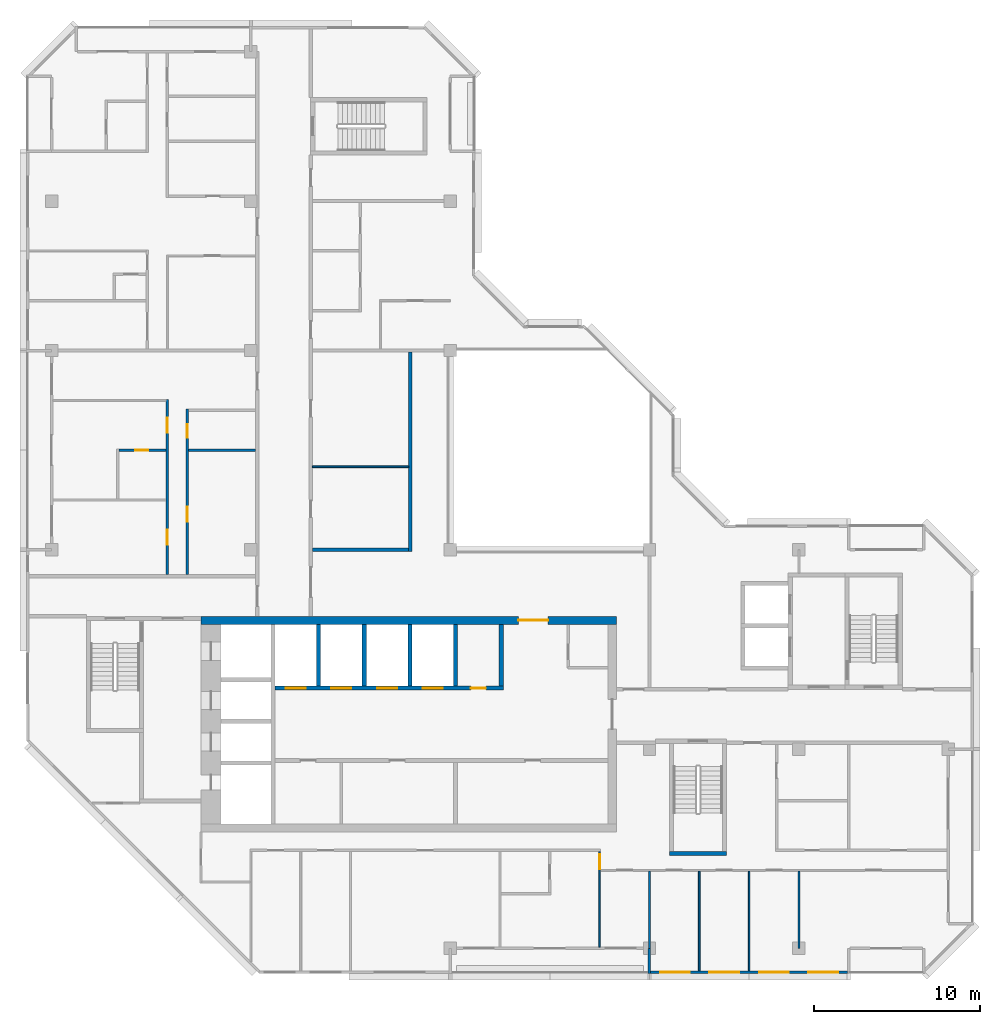
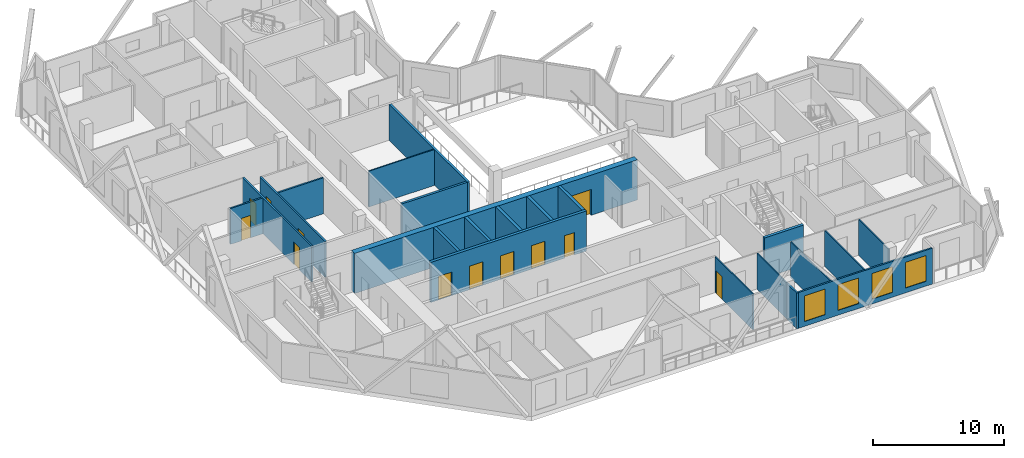
# One storey, part 5 of 12: 22 walls, 12 doors, 4 windows, 16 openings.
"""IFC4 building model written with IfcOpenShell, lengths in metres."""

import ifcopenshell
import ifcopenshell.guid

model = None  # the IFC model being written
_history = None  # IfcOwnerHistory: only IFC2X3 demands one
_inside = {}  # id of a spatial element -> (the spatial element, [elements in it])
_under = {}  # id of a project, library or spatial element -> (it, [spatial elements below it])
_declared = {}  # id of a project -> (the project, [libraries it declares])
_typed = {}  # id of a type object -> (the type object, [elements of that type])
_made_of = {}  # id of a material, layer set ... -> (it, [elements and type objects made of it])


def new_model(schema):
    """Start an empty IFC model of exactly this schema.

    Asked for "IFC4X3", IfcOpenShell would pick the latest addendum, in which some entities
    have other attributes; the version numbers below select the first issue.
    IFC2X3 requires an IfcOwnerHistory on every rooted entity: one is made here for all.
    """
    global model, _history
    if schema == "IFC4X3":
        model = ifcopenshell.file(schema_version=(4, 3, 0, 0))
    else:
        model = ifcopenshell.file(schema=schema)
    _inside.clear()
    _under.clear()
    _declared.clear()
    _typed.clear()
    _made_of.clear()
    _history = None
    if model.schema == "IFC2X3":
        org = make("IfcOrganization", Name="unknown")
        user = make(
            "IfcPersonAndOrganization",
            ThePerson=make("IfcPerson", FamilyName="unknown"),
            TheOrganization=org,
        )
        app = make(
            "IfcApplication",
            ApplicationDeveloper=org,
            Version="unknown",
            ApplicationFullName="unknown",
            ApplicationIdentifier="unknown",
        )
        _history = make(
            "IfcOwnerHistory",
            OwningUser=user,
            OwningApplication=app,
            ChangeAction="ADDED",
            CreationDate=0,
        )
    return model


def make(cls, **values):
    """One entity of the class cls with the attributes given. An attribute that is None is left unset."""
    return model.create_entity(
        cls, **{name: value for name, value in values.items() if value is not None}
    )


def rooted(cls, **values):
    """An entity with a GlobalId (a new one), such as an element, a storey or a relation."""
    return make(cls, GlobalId=ifcopenshell.guid.new(), OwnerHistory=_history, **values)


def si_unit(unit_type, name, prefix=None):
    """IfcSIUnit, for example si_unit("LENGTHUNIT", "METRE", prefix="MILLI")."""
    return make("IfcSIUnit", UnitType=unit_type, Prefix=prefix, Name=name)


def assignment(units):
    """IfcUnitAssignment: the units of a project."""
    return None if units is None else make("IfcUnitAssignment", Units=units)


def point(xyz):
    """IfcCartesianPoint."""
    return None if xyz is None else make("IfcCartesianPoint", Coordinates=xyz)


def direction(xyz):
    """IfcDirection."""
    return None if xyz is None else make("IfcDirection", DirectionRatios=xyz)


def frame(location, z_axis=None, x_axis=None):
    """IfcAxis2Placement3D, a coordinate frame: its origin and axes. An axis left out is left unset."""
    return make(
        "IfcAxis2Placement3D",
        Location=point(location),
        Axis=direction(z_axis),
        RefDirection=direction(x_axis),
    )


def frame_2d(location, x_axis=None):
    """IfcAxis2Placement2D, a coordinate frame in the plane: its origin and x axis."""
    return make(
        "IfcAxis2Placement2D", Location=point(location), RefDirection=direction(x_axis)
    )


def origin():
    """The frame at (0, 0, 0) with its axes left unset."""
    return frame((0.0, 0.0, 0.0))


def place(relative_to, where):
    """IfcLocalPlacement: puts the frame where relative to a parent placement (None: the world)."""
    return make(
        "IfcLocalPlacement", PlacementRelTo=relative_to, RelativePlacement=where
    )


def context(
    kind, dimensions, precision=None, world=None, true_north=None, identifier=None
):
    """IfcGeometricRepresentationContext, for example the 3D "Model" context."""
    return make(
        "IfcGeometricRepresentationContext",
        ContextIdentifier=identifier,
        ContextType=kind,
        CoordinateSpaceDimension=dimensions,
        Precision=precision,
        WorldCoordinateSystem=world,
        TrueNorth=true_north,
    )


def subcontext(parent, identifier, kind, view, scale=None):
    """IfcGeometricRepresentationSubContext, for example "Body" below "Model"."""
    return make(
        "IfcGeometricRepresentationSubContext",
        ContextIdentifier=identifier,
        ContextType=kind,
        ParentContext=parent,
        TargetScale=scale,
        TargetView=view,
    )


def project(units=None, contexts=None):
    """IfcProject with its units and contexts."""
    return rooted(
        "IfcProject",
        Name="project",
        RepresentationContexts=contexts,
        UnitsInContext=assignment(units),
    )


def spatial(cls, under=None, at=None, **own):
    """A site, building, storey or space (cls), placed at a placement, below another one or the project."""
    s = rooted(cls, ObjectPlacement=at, **own)
    if under is not None:
        _under.setdefault(under.id(), (under, []))[1].append(s)
    return s


def profile(cls, at=None, kind="AREA", **sizes):
    """A parametric profile (cls). Its sizes go by their IFC names, for example OverallWidth=200.0."""
    return make(cls, ProfileType=kind, Position=at, **sizes)


def rectangle(**sizes):
    """IfcRectangleProfileDef."""
    return profile("IfcRectangleProfileDef", **sizes)


def extrude(swept, where, along, depth):
    """IfcExtrudedAreaSolid: the profile swept, set in the frame where, extruded along a direction by depth."""
    return make(
        "IfcExtrudedAreaSolid",
        SweptArea=swept,
        Position=where,
        ExtrudedDirection=direction(along),
        Depth=depth,
    )


def shape(context_of_items, identifier, shape_type, items):
    """IfcShapeRepresentation: the items that make up one representation, for example the "Body"."""
    return make(
        "IfcShapeRepresentation",
        ContextOfItems=context_of_items,
        RepresentationIdentifier=identifier,
        RepresentationType=shape_type,
        Items=items,
    )


def material(Name=None, Category=None):
    """IfcMaterial."""
    return make("IfcMaterial", Name=Name, Category=Category)


def layer(
    of_material, thickness, ventilated=None, Name=None, Category=None, Priority=None
):
    """IfcMaterialLayer: one layer of a wall or slab, of a material (None: an air gap)."""
    return make(
        "IfcMaterialLayer",
        Material=of_material,
        LayerThickness=thickness,
        IsVentilated=ventilated,
        Name=Name,
        Category=Category,
        Priority=Priority,
    )


def layer_set(layers, Name=None):
    """IfcMaterialLayerSet."""
    return make("IfcMaterialLayerSet", MaterialLayers=layers, LayerSetName=Name)


def made_of(thing, what):
    """Note that an element or type object is made of a material, layer set ...; save() writes the relation."""
    if what is not None:
        _made_of.setdefault(what.id(), (what, []))[1].append(thing)
    return thing


def type_object(cls, material=None, **own):
    """A type object (cls), such as IfcWallType, which elements share."""
    return made_of(rooted(cls, **own), material)


def element(
    cls,
    number,
    at=None,
    inside=None,
    cuts=None,
    type_object=None,
    material=None,
    context=None,
    identifier="Body",
    shape_type=None,
    held_by="IfcProductDefinitionShape",
    body=None,
    shapes=None,
    **own,
):
    """One element of the class cls, such as IfcWall. Its Tag is "e" and its number.

    at: its placement. inside: the storey or other place that contains it. cuts: it is an
    opening in that element (IfcRelVoidsElement). A single representation is given by context,
    identifier, shape_type and body (its items); several are given by shapes. held_by: the class
    of the entity that holds the representations. save() writes the other relations.
    """
    e = rooted(cls, Tag="e%d" % number, ObjectPlacement=at, **own)
    if body is not None:
        shapes = [shape(context, identifier, shape_type, body)]
    if shapes is not None:
        e.Representation = make(held_by, Representations=shapes)
    if inside is not None:
        _inside.setdefault(inside.id(), (inside, []))[1].append(e)
    if cuts is not None:
        rooted(
            "IfcRelVoidsElement", RelatingBuildingElement=cuts, RelatedOpeningElement=e
        )
    if type_object is not None:
        _typed.setdefault(type_object.id(), (type_object, []))[1].append(e)
    return made_of(e, material)


def fill(opening, filler):
    """IfcRelFillsElement: the door or window that sits in an opening."""
    return rooted(
        "IfcRelFillsElement",
        RelatingOpeningElement=opening,
        RelatedBuildingElement=filler,
    )


def aggregate(whole, parts):
    """IfcRelAggregates: a whole, such as a stair, and the parts it consists of."""
    return rooted("IfcRelAggregates", RelatingObject=whole, RelatedObjects=parts)


def save(model, path):
    """Write the relations noted so far, then the file.

    IfcRelAggregates (storeys below a building ...), IfcRelContainedInSpatialStructure (elements
    in a storey), IfcRelDefinesByType, IfcRelAssociatesMaterial and IfcRelDeclares: one each for
    every whole, place, type object, material and project.
    """
    for whole, parts in _under.values():
        aggregate(whole, parts)
    for where, things in _inside.values():
        rooted(
            "IfcRelContainedInSpatialStructure",
            RelatedElements=things,
            RelatingStructure=where,
        )
    for kind, things in _typed.values():
        rooted("IfcRelDefinesByType", RelatedObjects=things, RelatingType=kind)
    for what, things in _made_of.values():
        rooted("IfcRelAssociatesMaterial", RelatedObjects=things, RelatingMaterial=what)
    for by, libraries in _declared.values():
        rooted("IfcRelDeclares", RelatingContext=by, RelatedDefinitions=libraries)
    model.write(path)


model = new_model("IFC4")

# Units and contexts
model_context = context("Model", 3, precision=1e-05, world=origin(), true_north=direction((0.0, 1.0)))
body_context = subcontext(model_context, "Body", "Model", "MODEL_VIEW")
ifc_project = project(units=[si_unit("LENGTHUNIT", "METRE"), si_unit("AREAUNIT", "SQUARE_METRE"), si_unit("VOLUMEUNIT", "CUBIC_METRE"), si_unit("PLANEANGLEUNIT", "RADIAN"), si_unit("MASSUNIT", "GRAM", prefix="KILO")], contexts=[model_context])

# Site, building, storey
site_placement = place(None, origin())
site = spatial("IfcSite", under=ifc_project, at=site_placement, CompositionType="ELEMENT")
building_placement = place(site_placement, origin())
building = spatial("IfcBuilding", under=site, at=building_placement, Name="Chenar Terraces", CompositionType="ELEMENT")
storey_placement = place(building_placement, frame((0.0, 0.0, 353.89990234375)))
storey = spatial("IfcBuildingStorey", under=building, at=storey_placement, Name="L82", CompositionType="ELEMENT", Elevation=353.89990234375)

# Wall, openings, doors
ifc_material_1 = material(Name="Concrete C50/60", Category="concrete")
ifc_layer_1 = layer(ifc_material_1, 0.25)
ifc_layer_set_1 = layer_set([ifc_layer_1], Name="Concrete C50/60")
wall_type_1 = type_object("IfcWallType", Name="Core wall 250 Concrete C50/60", PredefinedType="SHEAR", material=ifc_layer_set_1)
wall_1_placement = place(storey_placement, frame((13.449951171875, 15.675048828125, 0.0), z_axis=(0.0, 0.0, 1.0), x_axis=(1.0, 0.0, 0.0)))
wall_1 = element("IfcWall", 1, at=wall_1_placement, inside=storey, type_object=wall_type_1, Name="Core wall NF L82", PredefinedType="SHEAR", context=body_context, shape_type="SweptSolid", body=[
    extrude(rectangle(XDim=13.75, YDim=0.25, at=frame_2d((6.875, 0.0))), origin(), (0.0, 0.0, 1.0), 3.75),
])
opening_1_placement = place(wall_1_placement, frame((0.64990234375, 0.0, 0.0)))
opening_1 = element("IfcOpeningElement", 2, at=opening_1_placement, cuts=wall_1, Name="Opening DL82-LD1", PredefinedType="OPENING", context=body_context, shape_type="SweptSolid", body=[
    extrude(rectangle(XDim=1.199951171875, YDim=2.199951171875, at=frame_2d((0.60009765625, 1.10009765625))), frame((0.0, 0.135009765625, 0.0), z_axis=(0.0, -1.0, 0.0), x_axis=(1.0, 0.0, 0.0)), (0.0, 0.0, 1.0), 0.27001953125),
])
opening_2_placement = place(wall_1_placement, frame((3.39990234375, 0.0, 0.0)))
opening_2 = element("IfcOpeningElement", 3, at=opening_2_placement, cuts=wall_1, Name="Opening DL82-LD2", PredefinedType="OPENING", context=body_context, shape_type="SweptSolid", body=[
    extrude(rectangle(XDim=1.199951171875, YDim=2.199951171875, at=frame_2d((0.60009765625, 1.10009765625))), frame((0.0, 0.135009765625, 0.0), z_axis=(0.0, -1.0, 0.0), x_axis=(1.0, 0.0, 0.0)), (0.0, 0.0, 1.0), 0.27001953125),
])
opening_3_placement = place(wall_1_placement, frame((6.14990234375, 0.0, 0.0)))
opening_3 = element("IfcOpeningElement", 4, at=opening_3_placement, cuts=wall_1, Name="Opening DL82-LD3", PredefinedType="OPENING", context=body_context, shape_type="SweptSolid", body=[
    extrude(rectangle(XDim=1.199951171875, YDim=2.199951171875, at=frame_2d((0.60009765625, 1.10009765625))), frame((0.0, 0.135009765625, 0.0), z_axis=(0.0, -1.0, 0.0), x_axis=(1.0, 0.0, 0.0)), (0.0, 0.0, 1.0), 0.27001953125),
])
opening_4_placement = place(wall_1_placement, frame((8.89990234375, 0.0, 0.0)))
opening_4 = element("IfcOpeningElement", 5, at=opening_4_placement, cuts=wall_1, Name="Opening DL82-LD4", PredefinedType="OPENING", context=body_context, shape_type="SweptSolid", body=[
    extrude(rectangle(XDim=1.199951171875, YDim=2.199951171875, at=frame_2d((0.60009765625, 1.10009765625))), frame((0.0, 0.135009765625, 0.0), z_axis=(0.0, -1.0, 0.0), x_axis=(1.0, 0.0, 0.0)), (0.0, 0.0, 1.0), 0.27001953125),
])
opening_5_placement = place(wall_1_placement, frame((11.800048828125, 0.0, 0.0)))
opening_5 = element("IfcOpeningElement", 6, at=opening_5_placement, cuts=wall_1, Name="Opening DL82-C15", PredefinedType="OPENING", context=body_context, shape_type="SweptSolid", body=[
    extrude(rectangle(XDim=0.89990234375, YDim=2.10009765625, at=frame_2d((0.449951171875, 1.050048828125))), frame((0.0, 0.135009765625, 0.0), z_axis=(0.0, -1.0, 0.0), x_axis=(1.0, 0.0, 0.0)), (0.0, 0.0, 1.0), 0.27001953125),
])
ifc_material_2 = material(Name="Stainless steel", Category="steel")
door_type_1 = type_object("IfcDoorType", Name="Lift landing door 1200 x 2200 sliding", OperationType="DOUBLE_DOOR_SLIDING", PredefinedType="DOOR", material=ifc_material_2)
door_1_placement = place(opening_1_placement, origin())
door_1 = element("IfcDoor", 7, at=door_1_placement, inside=storey, type_object=door_type_1, Name="Landing door H1", OperationType="DOUBLE_DOOR_SLIDING", OverallHeight=2.199951171875, OverallWidth=1.199951171875, PredefinedType="DOOR", context=body_context, shape_type="SweptSolid", body=[
    extrude(rectangle(XDim=1.199951171875, YDim=2.199951171875, at=frame_2d((0.60009765625, 1.10009765625))), frame((0.0, 0.02490234375, 0.0), z_axis=(0.0, -1.0, 0.0), x_axis=(1.0, 0.0, 0.0)), (0.0, 0.0, 1.0), 0.050048828125),
])
fill(opening_1, door_1)
door_2_placement = place(opening_2_placement, origin())
door_2 = element("IfcDoor", 8, at=door_2_placement, inside=storey, type_object=door_type_1, Name="Landing door H2", OperationType="DOUBLE_DOOR_SLIDING", OverallHeight=2.199951171875, OverallWidth=1.199951171875, PredefinedType="DOOR", context=body_context, shape_type="SweptSolid", body=[
    extrude(rectangle(XDim=1.199951171875, YDim=2.199951171875, at=frame_2d((0.60009765625, 1.10009765625))), frame((0.0, 0.02490234375, 0.0), z_axis=(0.0, -1.0, 0.0), x_axis=(1.0, 0.0, 0.0)), (0.0, 0.0, 1.0), 0.050048828125),
])
fill(opening_2, door_2)
door_3_placement = place(opening_3_placement, origin())
door_3 = element("IfcDoor", 9, at=door_3_placement, inside=storey, type_object=door_type_1, Name="Landing door H3", OperationType="DOUBLE_DOOR_SLIDING", OverallHeight=2.199951171875, OverallWidth=1.199951171875, PredefinedType="DOOR", context=body_context, shape_type="SweptSolid", body=[
    extrude(rectangle(XDim=1.199951171875, YDim=2.199951171875, at=frame_2d((0.60009765625, 1.10009765625))), frame((0.0, 0.02490234375, 0.0), z_axis=(0.0, -1.0, 0.0), x_axis=(1.0, 0.0, 0.0)), (0.0, 0.0, 1.0), 0.050048828125),
])
fill(opening_3, door_3)
door_4_placement = place(opening_4_placement, origin())
door_4 = element("IfcDoor", 10, at=door_4_placement, inside=storey, type_object=door_type_1, Name="Landing door H4", OperationType="DOUBLE_DOOR_SLIDING", OverallHeight=2.199951171875, OverallWidth=1.199951171875, PredefinedType="DOOR", context=body_context, shape_type="SweptSolid", body=[
    extrude(rectangle(XDim=1.199951171875, YDim=2.199951171875, at=frame_2d((0.60009765625, 1.10009765625))), frame((0.0, 0.02490234375, 0.0), z_axis=(0.0, -1.0, 0.0), x_axis=(1.0, 0.0, 0.0)), (0.0, 0.0, 1.0), 0.050048828125),
])
fill(opening_4, door_4)
ifc_material_3 = material(Name="Steel-framed fire-resisting door leaf", Category="steel")
door_type_2 = type_object("IfcDoorType", Name="Riser fire door FD60 900 x 2100", OperationType="SINGLE_SWING_LEFT", PredefinedType="DOOR", material=ifc_material_3)
door_5_placement = place(opening_5_placement, origin())
door_5 = element("IfcDoor", 11, at=door_5_placement, inside=storey, type_object=door_type_2, Name="Core room door DL82-C15", OperationType="SINGLE_SWING_RIGHT", OverallHeight=2.10009765625, OverallWidth=0.89990234375, PredefinedType="DOOR", context=body_context, shape_type="SweptSolid", body=[
    extrude(rectangle(XDim=0.89990234375, YDim=2.10009765625, at=frame_2d((0.449951171875, 1.050048828125))), frame((0.0, 0.02490234375, 0.0), z_axis=(0.0, -1.0, 0.0), x_axis=(1.0, 0.0, 0.0)), (0.0, 0.0, 1.0), 0.050048828125),
])
fill(opening_5, door_5)

# Walls
for number, where, z_axis, x_axis, name in (
    (12, (16.074951171875, 15.800048828125, 0.0), (0.0, 0.0, 1.0), (0.0, 1.0, 0.0), "Core wall NS0 L82"),
    (13, (18.824951171875, 15.800048828125, 0.0), (0.0, 0.0, 1.0), (0.0, 1.0, 0.0), "Core wall NS1 L82"),
    (14, (21.574951171875, 15.800048828125, 0.0), (0.0, 0.0, 1.0), (0.0, 1.0, 0.0), "Core wall NS2 L82"),
    (15, (24.324951171875, 15.800048828125, 0.0), (0.0, 0.0, 1.0), (0.0, 1.0, 0.0), "Core wall NS3 L82"),
    (16, (27.074951171875, 15.800048828125, 0.0), (0.0, 0.0, 1.0), (0.0, 1.0, 0.0), "Core wall NE L82"),
):
    element("IfcWall", number, at=place(storey_placement, frame(where, z_axis=z_axis, x_axis=x_axis)), inside=storey, type_object=wall_type_1, Name=name, PredefinedType="SHEAR", context=body_context, shape_type="SweptSolid", body=[
        extrude(rectangle(XDim=3.699951171875, YDim=0.25, at=frame_2d((1.85009765625, 0.0))), origin(), (0.0, 0.0, 1.0), 3.75),
    ])
wall_2_placement = place(storey_placement, frame((37.199951171875, 5.72509765625, 0.0), z_axis=(0.0, 0.0, 1.0), x_axis=(1.0, 0.0, 0.0)))
element("IfcWall", 17, at=wall_2_placement, inside=storey, type_object=wall_type_1, Name="Core wall ST2_S L82", PredefinedType="SHEAR", context=body_context, shape_type="SweptSolid", body=[
    extrude(rectangle(XDim=3.449951171875, YDim=0.25, at=frame_2d((1.72509765625, 0.0))), origin(), (0.0, 0.0, 1.0), 3.75),
])

# Wall, opening, door
ifc_material_4 = material(Name="Concrete C50/60", Category="concrete")
ifc_layer_2 = layer(ifc_material_4, 0.5)
ifc_layer_set_2 = layer_set([ifc_layer_2], Name="Concrete C50/60")
wall_type_2 = type_object("IfcWallType", Name="Core wall 500 Concrete C50/60", PredefinedType="SHEAR", material=ifc_layer_set_2)
wall_3_placement = place(storey_placement, frame((9.0, 19.75, 0.0), z_axis=(0.0, 0.0, 1.0), x_axis=(1.0, 0.0, 0.0)))
wall_3 = element("IfcWall", 18, at=wall_3_placement, inside=storey, type_object=wall_type_2, Name="Core wall N L82", PredefinedType="SHEAR", context=body_context, shape_type="SweptSolid", body=[
    extrude(rectangle(XDim=25.0, YDim=0.5, at=frame_2d((12.5, 0.0))), origin(), (0.0, 0.0, 1.0), 3.75),
])
opening_6_placement = place(wall_3_placement, frame((19.10009765625, 0.0, 0.0)))
opening_6 = element("IfcOpeningElement", 19, at=opening_6_placement, cuts=wall_3, Name="Opening DL82-C2", PredefinedType="OPENING", context=body_context, shape_type="SweptSolid", body=[
    extrude(rectangle(XDim=1.800048828125, YDim=2.39990234375, at=frame_2d((0.89990234375, 1.199951171875))), frame((0.0, 0.260009765625, 0.0), z_axis=(0.0, -1.0, 0.0), x_axis=(1.0, 0.0, 0.0)), (0.0, 0.0, 1.0), 0.52001953125),
])
ifc_material_5 = material(Name="Steel-framed fire-resisting door leaf", Category="steel")
door_type_3 = type_object("IfcDoorType", Name="Core entrance double fire door FD60 1800 x 2400", OperationType="DOUBLE_DOOR_SINGLE_SWING", PredefinedType="DOOR", material=ifc_material_5)
door_6_placement = place(opening_6_placement, frame((1.800048828125, 0.0, 0.0), z_axis=(0.0, 0.0, 1.0), x_axis=(-1.0, 0.0, 0.0)))
door_6 = element("IfcDoor", 20, at=door_6_placement, inside=storey, type_object=door_type_3, Name="Core door DL82-C2", OperationType="DOUBLE_DOOR_SINGLE_SWING", OverallHeight=2.39990234375, OverallWidth=1.800048828125, PredefinedType="DOOR", context=body_context, shape_type="SweptSolid", body=[
    extrude(rectangle(XDim=1.800048828125, YDim=2.39990234375, at=frame_2d((0.89990234375, 1.199951171875))), frame((0.0, 0.02490234375, 0.0), z_axis=(0.0, -1.0, 0.0), x_axis=(1.0, 0.0, 0.0)), (0.0, 0.0, 1.0), 0.050048828125),
])
fill(opening_6, door_6)

# Walls
ifc_material_6 = material(Name="Gypsum board on steel studs with fire boards", Category="steel")
ifc_layer_3 = layer(ifc_material_6, 0.199951171875)
ifc_layer_set_3 = layer_set([ifc_layer_3], Name="Gypsum board on steel studs with fire boards")
wall_type_3 = type_object("IfcWallType", Name="Corridor wall 200", PredefinedType="PARTITIONING", material=ifc_layer_set_3)
wall_4_placement = place(storey_placement, frame((15.699951171875, 24.0, 0.0), z_axis=(0.0, 0.0, 1.0), x_axis=(1.0, 0.0, 0.0)))
element("IfcWall", 21, at=wall_4_placement, inside=storey, type_object=wall_type_3, Name="Partition L82-036", PredefinedType="PARTITIONING", context=body_context, shape_type="SweptSolid", body=[
    extrude(rectangle(XDim=5.800048828125, YDim=0.199951171875, at=frame_2d((2.89990234375, 0.0))), origin(), (0.0, 0.0, 1.0), 3.35009765625),
])
wall_5_placement = place(storey_placement, frame((21.60009765625, 23.89990234375, 0.0), z_axis=(0.0, 0.0, 1.0), x_axis=(0.0, 1.0, 0.0)))
element("IfcWall", 22, at=wall_5_placement, inside=storey, type_object=wall_type_3, Name="Partition L82-046", PredefinedType="PARTITIONING", context=body_context, shape_type="SweptSolid", body=[
    extrude(rectangle(XDim=12.0, YDim=0.199951171875, at=frame_2d((6.0, 0.0))), origin(), (0.0, 0.0, 1.0), 3.35009765625),
])

# Wall, openings, windows
ifc_material_7 = material(Name="Aluminium framed glazing", Category="aluminium")
ifc_layer_4 = layer(ifc_material_7, 0.14990234375)
ifc_layer_set_4 = layer_set([ifc_layer_4], Name="Aluminium framed glazing")
wall_type_4 = type_object("IfcWallType", Name="Glazed flush facade wall 150", PredefinedType="SOLIDWALL", material=ifc_layer_set_4)
wall_6_placement = place(storey_placement, frame((36.074951171875, -1.425048828125, 0.0), z_axis=(0.0, 0.0, 1.0), x_axis=(1.0, 0.0, 0.0)))
wall_6 = element("IfcWall", 23, at=wall_6_placement, inside=storey, type_object=wall_type_4, Name="Glazed flush facade wall", PredefinedType="SOLIDWALL", context=body_context, shape_type="SweptSolid", body=[
    extrude(rectangle(XDim=11.85009765625, YDim=0.14990234375, at=frame_2d((5.925048828125, 0.0))), origin(), (0.0, 0.0, 1.0), 3.35009765625),
])
opening_7_placement = place(wall_6_placement, frame((0.5625, 0.0, 0.449951171875)))
opening_7 = element("IfcOpeningElement", 24, at=opening_7_placement, cuts=wall_6, Name="Opening W180x240", PredefinedType="OPENING", context=body_context, shape_type="SweptSolid", body=[
    extrude(rectangle(XDim=1.800048828125, YDim=2.39990234375, at=frame_2d((0.89990234375, 1.199951171875))), frame((0.0, 0.0849609375, 0.0), z_axis=(0.0, -1.0, 0.0), x_axis=(1.0, 0.0, 0.0)), (0.0, 0.0, 1.0), 0.169921875),
])
opening_8_placement = place(wall_6_placement, frame((3.52490234375, 0.0, 0.449951171875)))
opening_8 = element("IfcOpeningElement", 25, at=opening_8_placement, cuts=wall_6, Name="Opening W180x240", PredefinedType="OPENING", context=body_context, shape_type="SweptSolid", body=[
    extrude(rectangle(XDim=1.800048828125, YDim=2.39990234375, at=frame_2d((0.89990234375, 1.199951171875))), frame((0.0, 0.0849609375, 0.0), z_axis=(0.0, -1.0, 0.0), x_axis=(1.0, 0.0, 0.0)), (0.0, 0.0, 1.0), 0.169921875),
])
opening_9_placement = place(wall_6_placement, frame((6.52490234375, 0.0, 0.449951171875)))
opening_9 = element("IfcOpeningElement", 26, at=opening_9_placement, cuts=wall_6, Name="Opening W180x240", PredefinedType="OPENING", context=body_context, shape_type="SweptSolid", body=[
    extrude(rectangle(XDim=1.800048828125, YDim=2.39990234375, at=frame_2d((0.89990234375, 1.199951171875))), frame((0.0, 0.0849609375, 0.0), z_axis=(0.0, -1.0, 0.0), x_axis=(1.0, 0.0, 0.0)), (0.0, 0.0, 1.0), 0.169921875),
])
opening_10_placement = place(wall_6_placement, frame((9.487548828125, 0.0, 0.449951171875)))
opening_10 = element("IfcOpeningElement", 27, at=opening_10_placement, cuts=wall_6, Name="Opening W180x240", PredefinedType="OPENING", context=body_context, shape_type="SweptSolid", body=[
    extrude(rectangle(XDim=1.800048828125, YDim=2.39990234375, at=frame_2d((0.89990234375, 1.199951171875))), frame((0.0, 0.0849609375, 0.0), z_axis=(0.0, -1.0, 0.0), x_axis=(1.0, 0.0, 0.0)), (0.0, 0.0, 1.0), 0.169921875),
])
ifc_material_8 = material(Name="Low emissivity double glazing, aluminium frame", Category="aluminium")
window_type = type_object("IfcWindowType", Name="Fixed light 1800 x 2400", PartitioningType="SINGLE_PANEL", PredefinedType="WINDOW", material=ifc_material_8)
window_1_placement = place(opening_7_placement, origin())
window_1 = element("IfcWindow", 28, at=window_1_placement, inside=storey, type_object=window_type, Name="Window", OverallHeight=2.39990234375, OverallWidth=1.800048828125, PartitioningType="SINGLE_PANEL", PredefinedType="WINDOW", context=body_context, shape_type="SweptSolid", body=[
    extrude(rectangle(XDim=1.800048828125, YDim=2.39990234375, at=frame_2d((0.89990234375, 1.199951171875))), frame((0.0, 0.030029296875, 0.0), z_axis=(0.0, -1.0, 0.0), x_axis=(1.0, 0.0, 0.0)), (0.0, 0.0, 1.0), 0.06005859375),
])
fill(opening_7, window_1)
window_2_placement = place(opening_8_placement, origin())
window_2 = element("IfcWindow", 29, at=window_2_placement, inside=storey, type_object=window_type, Name="Window", OverallHeight=2.39990234375, OverallWidth=1.800048828125, PartitioningType="SINGLE_PANEL", PredefinedType="WINDOW", context=body_context, shape_type="SweptSolid", body=[
    extrude(rectangle(XDim=1.800048828125, YDim=2.39990234375, at=frame_2d((0.89990234375, 1.199951171875))), frame((0.0, 0.030029296875, 0.0), z_axis=(0.0, -1.0, 0.0), x_axis=(1.0, 0.0, 0.0)), (0.0, 0.0, 1.0), 0.06005859375),
])
fill(opening_8, window_2)
window_3_placement = place(opening_9_placement, origin())
window_3 = element("IfcWindow", 30, at=window_3_placement, inside=storey, type_object=window_type, Name="Window", OverallHeight=2.39990234375, OverallWidth=1.800048828125, PartitioningType="SINGLE_PANEL", PredefinedType="WINDOW", context=body_context, shape_type="SweptSolid", body=[
    extrude(rectangle(XDim=1.800048828125, YDim=2.39990234375, at=frame_2d((0.89990234375, 1.199951171875))), frame((0.0, 0.030029296875, 0.0), z_axis=(0.0, -1.0, 0.0), x_axis=(1.0, 0.0, 0.0)), (0.0, 0.0, 1.0), 0.06005859375),
])
fill(opening_9, window_3)
window_4_placement = place(opening_10_placement, origin())
window_4 = element("IfcWindow", 31, at=window_4_placement, inside=storey, type_object=window_type, Name="Window", OverallHeight=2.39990234375, OverallWidth=1.800048828125, PartitioningType="SINGLE_PANEL", PredefinedType="WINDOW", context=body_context, shape_type="SweptSolid", body=[
    extrude(rectangle(XDim=1.800048828125, YDim=2.39990234375, at=frame_2d((0.89990234375, 1.199951171875))), frame((0.0, 0.030029296875, 0.0), z_axis=(0.0, -1.0, 0.0), x_axis=(1.0, 0.0, 0.0)), (0.0, 0.0, 1.0), 0.06005859375),
])
fill(opening_10, window_4)

# Wall
ifc_material_9 = material(Name="Gypsum board on steel studs", Category="steel")
ifc_layer_5 = layer(ifc_material_9, 0.10009765625)
ifc_layer_set_5 = layer_set([ifc_layer_5], Name="Gypsum board on steel studs")
wall_type_5 = type_object("IfcWallType", Name="Gypsum partition 100", PredefinedType="PARTITIONING", material=ifc_layer_set_5)
wall_7_placement = place(storey_placement, frame((15.699951171875, 29.0, 0.0), z_axis=(0.0, 0.0, 1.0), x_axis=(1.0, 0.0, 0.0)))
element("IfcWall", 32, at=wall_7_placement, inside=storey, type_object=wall_type_5, Name="Partition L82-037", PredefinedType="PARTITIONING", context=body_context, shape_type="SweptSolid", body=[
    extrude(rectangle(XDim=5.800048828125, YDim=0.10009765625, at=frame_2d((2.89990234375, 0.0))), origin(), (0.0, 0.0, 1.0), 3.35009765625),
])

# Wall, opening, door
wall_8_placement = place(storey_placement, frame((33.0, 0.073974609375, 0.0), z_axis=(0.0, 0.0, 1.0), x_axis=(0.0, 1.0, 0.0)))
wall_8 = element("IfcWall", 33, at=wall_8_placement, inside=storey, type_object=wall_type_5, Name="Partition L82-050", PredefinedType="PARTITIONING", context=body_context, shape_type="SweptSolid", body=[
    extrude(rectangle(XDim=5.7509765625, YDim=0.10009765625, at=frame_2d((2.87548828125, 0.0))), origin(), (0.0, 0.0, 1.0), 3.35009765625),
])
opening_11_placement = place(wall_8_placement, frame((4.700927734375, 0.0, 0.0)))
opening_11 = element("IfcOpeningElement", 34, at=opening_11_placement, cuts=wall_8, Name="Opening DL82-32", PredefinedType="OPENING", context=body_context, shape_type="SweptSolid", body=[
    extrude(rectangle(XDim=0.89990234375, YDim=2.10009765625, at=frame_2d((0.449951171875, 1.050048828125))), frame((0.0, 0.06005859375, 0.0), z_axis=(0.0, -1.0, 0.0), x_axis=(1.0, 0.0, 0.0)), (0.0, 0.0, 1.0), 0.1201171875),
])
ifc_material_10 = material(Name="Veneered timber door leaf", Category="wood")
door_type_4 = type_object("IfcDoorType", Name="Door 900 x 2100", OperationType="SINGLE_SWING_LEFT", PredefinedType="DOOR", material=ifc_material_10)
door_7_placement = place(opening_11_placement, origin())
door_7 = element("IfcDoor", 35, at=door_7_placement, inside=storey, type_object=door_type_4, Name="Door DL82-32", OperationType="SINGLE_SWING_RIGHT", OverallHeight=2.10009765625, OverallWidth=0.89990234375, PredefinedType="DOOR", context=body_context, shape_type="SweptSolid", body=[
    extrude(rectangle(XDim=0.89990234375, YDim=2.10009765625, at=frame_2d((0.449951171875, 1.050048828125))), frame((0.0, 0.02490234375, 0.0), z_axis=(0.0, -1.0, 0.0), x_axis=(1.0, 0.0, 0.0)), (0.0, 0.0, 1.0), 0.050048828125),
])
fill(opening_11, door_7)

# Walls
wall_9_placement = place(storey_placement, frame((36.0, 0.0, 0.0), z_axis=(0.0, 0.0, 1.0), x_axis=(0.0, 1.0, 0.0)))
element("IfcWall", 36, at=wall_9_placement, inside=storey, type_object=wall_type_5, Name="Partition L82-054", PredefinedType="PARTITIONING", context=body_context, shape_type="SweptSolid", body=[
    extrude(rectangle(XDim=4.64990234375, YDim=0.10009765625, at=frame_2d((2.324951171875, 0.0))), origin(), (0.0, 0.0, 1.0), 3.35009765625),
])
for number, where, z_axis, x_axis, name in (
    (37, (39.0, -1.35107421875, 0.0), (0.0, 0.0, 1.0), (0.0, 1.0, 0.0), "Partition L82-056"),
    (38, (42.0, -1.35107421875, 0.0), (0.0, 0.0, 1.0), (0.0, 1.0, 0.0), "Partition L82-058"),
):
    element("IfcWall", number, at=place(storey_placement, frame(where, z_axis=z_axis, x_axis=x_axis)), inside=storey, type_object=wall_type_5, Name=name, PredefinedType="PARTITIONING", context=body_context, shape_type="SweptSolid", body=[
        extrude(rectangle(XDim=6.0009765625, YDim=0.10009765625, at=frame_2d((3.00048828125, 0.0))), origin(), (0.0, 0.0, 1.0), 3.35009765625),
    ])
wall_10_placement = place(storey_placement, frame((45.0, 0.0, 0.0), z_axis=(0.0, 0.0, 1.0), x_axis=(0.0, 1.0, 0.0)))
element("IfcWall", 39, at=wall_10_placement, inside=storey, type_object=wall_type_5, Name="Partition L82-062", PredefinedType="PARTITIONING", context=body_context, shape_type="SweptSolid", body=[
    extrude(rectangle(XDim=4.64990234375, YDim=0.10009765625, at=frame_2d((2.324951171875, 0.0))), origin(), (0.0, 0.0, 1.0), 3.35009765625),
])
ifc_material_11 = material(Name="Terracotta cladding on insulated backing", Category="masonry")
ifc_layer_6 = layer(ifc_material_11, 0.14990234375)
ifc_layer_set_6 = layer_set([ifc_layer_6], Name="Terracotta cladding on insulated backing")
wall_type_6 = type_object("IfcWallType", Name="Loggia return wall 150", PredefinedType="SOLIDWALL", material=ifc_layer_set_6)
wall_11_placement = place(storey_placement, frame((36.0, -1.5, 0.0), z_axis=(0.0, 0.0, 1.0), x_axis=(0.0, 1.0, 0.0)))
element("IfcWall", 40, at=wall_11_placement, inside=storey, type_object=wall_type_6, Name="Loggia return wall", PredefinedType="SOLIDWALL", context=body_context, shape_type="SweptSolid", body=[
    extrude(rectangle(XDim=1.5, YDim=0.14990234375, at=frame_2d((0.75, 0.0))), origin(), (0.0, 0.0, 1.0), 3.35009765625),
])

# Wall, opening, door
ifc_material_12 = material(Name="Moisture-resistant gypsum board on steel studs", Category="steel")
ifc_layer_7 = layer(ifc_material_12, 0.14990234375)
ifc_layer_set_7 = layer_set([ifc_layer_7], Name="Moisture-resistant gypsum board on steel studs")
wall_type_7 = type_object("IfcWallType", Name="Wet-room partition 150", PredefinedType="PARTITIONING", material=ifc_layer_set_7)
wall_12_placement = place(storey_placement, frame((4.050048828125, 30.0, 0.0), z_axis=(0.0, 0.0, 1.0), x_axis=(1.0, 0.0, 0.0)))
wall_12 = element("IfcWall", 41, at=wall_12_placement, inside=storey, type_object=wall_type_7, Name="Partition L82-015", PredefinedType="PARTITIONING", context=body_context, shape_type="SweptSolid", body=[
    extrude(rectangle(XDim=2.849853515625, YDim=0.14990234375, at=frame_2d((1.4248046875, 0.0))), origin(), (0.0, 0.0, 1.0), 3.35009765625),
])
opening_12_placement = place(wall_12_placement, frame((0.97509765625, 0.0, 0.0)))
opening_12 = element("IfcOpeningElement", 42, at=opening_12_placement, cuts=wall_12, Name="Opening DL82-42", PredefinedType="OPENING", context=body_context, shape_type="SweptSolid", body=[
    extrude(rectangle(XDim=0.800048828125, YDim=2.10009765625, at=frame_2d((0.39990234375, 1.050048828125))), frame((0.0, 0.0849609375, 0.0), z_axis=(0.0, -1.0, 0.0), x_axis=(1.0, 0.0, 0.0)), (0.0, 0.0, 1.0), 0.169921875),
])
ifc_material_13 = material(Name="Veneered timber door leaf", Category="wood")
door_type_5 = type_object("IfcDoorType", Name="Door 800 x 2100", OperationType="SINGLE_SWING_LEFT", PredefinedType="DOOR", material=ifc_material_13)
door_8_placement = place(opening_12_placement, frame((0.800048828125, 0.0, 0.0), z_axis=(0.0, 0.0, 1.0), x_axis=(-1.0, 0.0, 0.0)))
door_8 = element("IfcDoor", 43, at=door_8_placement, inside=storey, type_object=door_type_5, Name="Door DL82-42", OperationType="SINGLE_SWING_RIGHT", OverallHeight=2.10009765625, OverallWidth=0.800048828125, PredefinedType="DOOR", context=body_context, shape_type="SweptSolid", body=[
    extrude(rectangle(XDim=0.800048828125, YDim=2.10009765625, at=frame_2d((0.39990234375, 1.050048828125))), frame((0.0, 0.02490234375, 0.0), z_axis=(0.0, -1.0, 0.0), x_axis=(1.0, 0.0, 0.0)), (0.0, 0.0, 1.0), 0.050048828125),
])
fill(opening_12, door_8)

# Wall, openings, doors
wall_13_placement = place(storey_placement, frame((6.97509765625, 22.5, 0.0), z_axis=(0.0, 0.0, 1.0), x_axis=(0.0, 1.0, 0.0)))
wall_13 = element("IfcWall", 44, at=wall_13_placement, inside=storey, type_object=wall_type_7, Name="Partition L82-018", PredefinedType="PARTITIONING", context=body_context, shape_type="SweptSolid", body=[
    extrude(rectangle(XDim=10.550048828125, YDim=0.14990234375, at=frame_2d((5.27490234375, 0.0))), origin(), (0.0, 0.0, 1.0), 3.35009765625),
])
opening_13_placement = place(wall_13_placement, frame((1.800048828125, 0.0, 0.0)))
opening_13 = element("IfcOpeningElement", 45, at=opening_13_placement, cuts=wall_13, Name="Opening DL82-40", PredefinedType="OPENING", context=body_context, shape_type="SweptSolid", body=[
    extrude(rectangle(XDim=0.89990234375, YDim=2.10009765625, at=frame_2d((0.449951171875, 1.050048828125))), frame((0.0, 0.0849609375, 0.0), z_axis=(0.0, -1.0, 0.0), x_axis=(1.0, 0.0, 0.0)), (0.0, 0.0, 1.0), 0.169921875),
])
opening_14_placement = place(wall_13_placement, frame((8.550048828125, 0.0, 0.0)))
opening_14 = element("IfcOpeningElement", 46, at=opening_14_placement, cuts=wall_13, Name="Opening DL82-41", PredefinedType="OPENING", context=body_context, shape_type="SweptSolid", body=[
    extrude(rectangle(XDim=0.89990234375, YDim=2.10009765625, at=frame_2d((0.449951171875, 1.050048828125))), frame((0.0, 0.0849609375, 0.0), z_axis=(0.0, -1.0, 0.0), x_axis=(1.0, 0.0, 0.0)), (0.0, 0.0, 1.0), 0.169921875),
])
door_9_placement = place(opening_13_placement, origin())
door_9 = element("IfcDoor", 47, at=door_9_placement, inside=storey, type_object=door_type_4, Name="Door DL82-40", OperationType="SINGLE_SWING_RIGHT", OverallHeight=2.10009765625, OverallWidth=0.89990234375, PredefinedType="DOOR", context=body_context, shape_type="SweptSolid", body=[
    extrude(rectangle(XDim=0.89990234375, YDim=2.10009765625, at=frame_2d((0.449951171875, 1.050048828125))), frame((0.0, 0.02490234375, 0.0), z_axis=(0.0, -1.0, 0.0), x_axis=(1.0, 0.0, 0.0)), (0.0, 0.0, 1.0), 0.050048828125),
])
fill(opening_13, door_9)
door_10_placement = place(opening_14_placement, origin())
door_10 = element("IfcDoor", 48, at=door_10_placement, inside=storey, type_object=door_type_4, Name="Door DL82-41", OperationType="SINGLE_SWING_RIGHT", OverallHeight=2.10009765625, OverallWidth=0.89990234375, PredefinedType="DOOR", context=body_context, shape_type="SweptSolid", body=[
    extrude(rectangle(XDim=0.89990234375, YDim=2.10009765625, at=frame_2d((0.449951171875, 1.050048828125))), frame((0.0, 0.02490234375, 0.0), z_axis=(0.0, -1.0, 0.0), x_axis=(1.0, 0.0, 0.0)), (0.0, 0.0, 1.0), 0.050048828125),
])
fill(opening_14, door_10)

wall_14_placement = place(storey_placement, frame((8.175048828125, 22.5, 0.0), z_axis=(0.0, 0.0, 1.0), x_axis=(0.0, 1.0, 0.0)))
wall_14 = element("IfcWall", 49, at=wall_14_placement, inside=storey, type_object=wall_type_7, Name="Partition L82-025", PredefinedType="PARTITIONING", context=body_context, shape_type="SweptSolid", body=[
    extrude(rectangle(XDim=9.97509765625, YDim=0.14990234375, at=frame_2d((4.987548828125, 0.0))), origin(), (0.0, 0.0, 1.0), 3.35009765625),
])
opening_15_placement = place(wall_14_placement, frame((8.25, 0.0, 0.0)))
opening_15 = element("IfcOpeningElement", 50, at=opening_15_placement, cuts=wall_14, Name="Opening DL82-39", PredefinedType="OPENING", context=body_context, shape_type="SweptSolid", body=[
    extrude(rectangle(XDim=0.800048828125, YDim=2.10009765625, at=frame_2d((0.39990234375, 1.050048828125))), frame((0.0, 0.0849609375, 0.0), z_axis=(0.0, -1.0, 0.0), x_axis=(1.0, 0.0, 0.0)), (0.0, 0.0, 1.0), 0.169921875),
])
opening_16_placement = place(wall_14_placement, frame((3.199951171875, 0.0, 0.0)))
opening_16 = element("IfcOpeningElement", 51, at=opening_16_placement, cuts=wall_14, Name="Opening DL82-43", PredefinedType="OPENING", context=body_context, shape_type="SweptSolid", body=[
    extrude(rectangle(XDim=0.89990234375, YDim=2.10009765625, at=frame_2d((0.449951171875, 1.050048828125))), frame((0.0, 0.0849609375, 0.0), z_axis=(0.0, -1.0, 0.0), x_axis=(1.0, 0.0, 0.0)), (0.0, 0.0, 1.0), 0.169921875),
])
door_11_placement = place(opening_15_placement, frame((0.800048828125, 0.0, 0.0), z_axis=(0.0, 0.0, 1.0), x_axis=(-1.0, 0.0, 0.0)))
door_11 = element("IfcDoor", 52, at=door_11_placement, inside=storey, type_object=door_type_5, Name="Door DL82-39", OperationType="SINGLE_SWING_RIGHT", OverallHeight=2.10009765625, OverallWidth=0.800048828125, PredefinedType="DOOR", context=body_context, shape_type="SweptSolid", body=[
    extrude(rectangle(XDim=0.800048828125, YDim=2.10009765625, at=frame_2d((0.39990234375, 1.050048828125))), frame((0.0, 0.02490234375, 0.0), z_axis=(0.0, -1.0, 0.0), x_axis=(1.0, 0.0, 0.0)), (0.0, 0.0, 1.0), 0.050048828125),
])
fill(opening_15, door_11)
door_12_placement = place(opening_16_placement, frame((0.89990234375, 0.0, 0.0), z_axis=(0.0, 0.0, 1.0), x_axis=(-1.0, 0.0, 0.0)))
door_12 = element("IfcDoor", 53, at=door_12_placement, inside=storey, type_object=door_type_4, Name="Door DL82-43", OperationType="SINGLE_SWING_LEFT", OverallHeight=2.10009765625, OverallWidth=0.89990234375, PredefinedType="DOOR", context=body_context, shape_type="SweptSolid", body=[
    extrude(rectangle(XDim=0.89990234375, YDim=2.10009765625, at=frame_2d((0.449951171875, 1.050048828125))), frame((0.0, 0.02490234375, 0.0), z_axis=(0.0, -1.0, 0.0), x_axis=(1.0, 0.0, 0.0)), (0.0, 0.0, 1.0), 0.050048828125),
])
fill(opening_16, door_12)

# Wall
wall_15_placement = place(storey_placement, frame((8.25, 30.0, 0.0), z_axis=(0.0, 0.0, 1.0), x_axis=(1.0, 0.0, 0.0)))
element("IfcWall", 54, at=wall_15_placement, inside=storey, type_object=wall_type_7, Name="Partition L82-026", PredefinedType="PARTITIONING", context=body_context, shape_type="SweptSolid", body=[
    extrude(rectangle(XDim=4.02490234375, YDim=0.14990234375, at=frame_2d((2.012451171875, 0.0))), origin(), (0.0, 0.0, 1.0), 3.35009765625),
])

save(model, "model.ifc")
